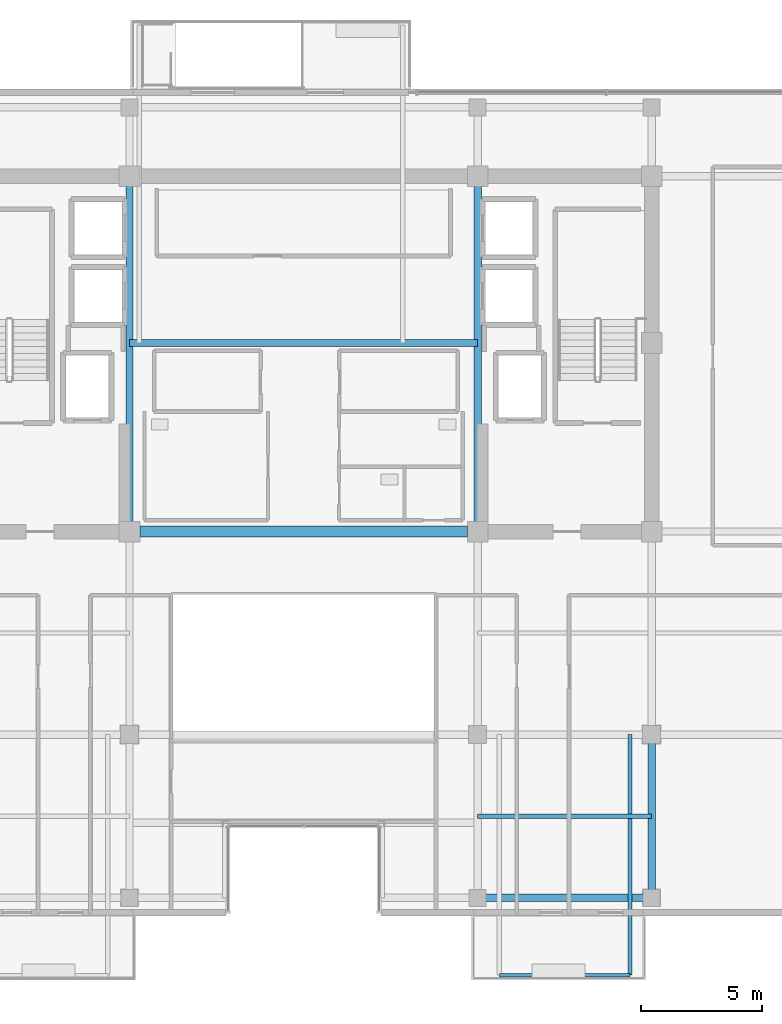
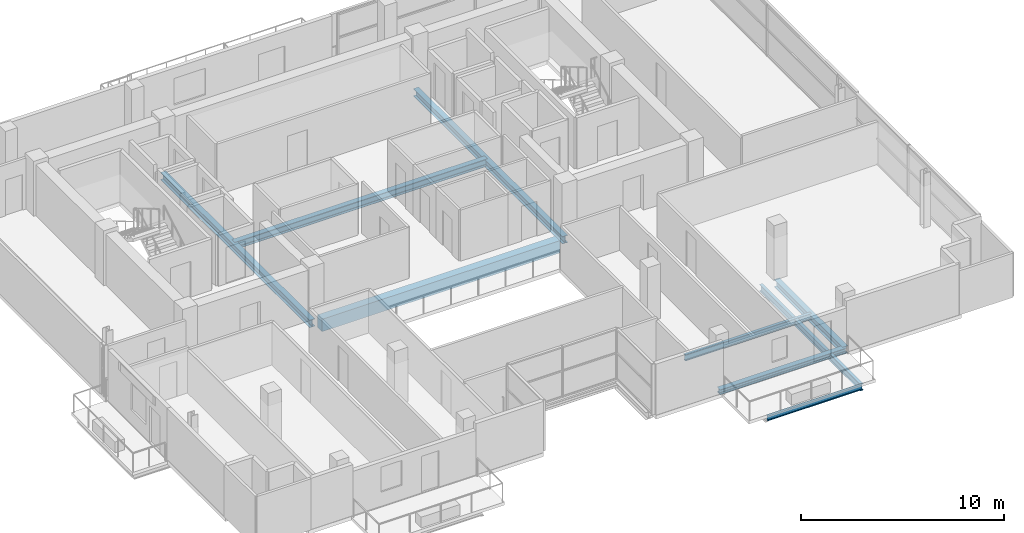
# One storey, part 6 of 24: 9 beams.
"""IFC4 building model written with IfcOpenShell, lengths in metres."""

from ifc_helpers import new_model, si_unit, direction, frame, origin, origin_2d, place, context, subcontext, project, spatial, rectangle, i_section, extrude, material, material_profile, profile_set, type_object, element, save


model = new_model("IFC4")

# Units and contexts
model_context = context("Model", 3, precision=1e-05, world=origin(), true_north=direction((0.0, 1.0)))
body_context = subcontext(model_context, "Body", "Model", "MODEL_VIEW")
ifc_project = project(units=[si_unit("LENGTHUNIT", "METRE"), si_unit("AREAUNIT", "SQUARE_METRE"), si_unit("VOLUMEUNIT", "CUBIC_METRE"), si_unit("PLANEANGLEUNIT", "RADIAN"), si_unit("MASSUNIT", "GRAM", prefix="KILO")], contexts=[model_context])

# Site, building, storey
site_placement = place(None, origin())
site = spatial("IfcSite", under=ifc_project, at=site_placement, CompositionType="ELEMENT")
building_placement = place(site_placement, origin())
building = spatial("IfcBuilding", under=site, at=building_placement, Name="Zarnakvel Exchange Tower", CompositionType="ELEMENT")
storey_placement = place(building_placement, frame((0.0, 0.0, 235.300048828125)))
storey = spatial("IfcBuildingStorey", under=building, at=storey_placement, Name="L66", CompositionType="ELEMENT", Elevation=235.300048828125)

# Beams
ifc_material_1 = material(Name="Steel S355", Category="steel")
ifc_material_profile_1 = material_profile(ifc_material_1, i_section(OverallWidth=0.179931640625, OverallDepth=0.39990234375, WebThickness=0.008544921875, FlangeThickness=0.013427734375, FilletRadius=0.02099609375, at=origin_2d()))
ifc_profile_set_1 = profile_set([ifc_material_profile_1], Name="Steel S355")
beam_type_1 = type_object("IfcBeamType", Name="B-06", PredefinedType="JOIST", material=ifc_profile_set_1)
beam_1_placement = place(storey_placement, frame((13.5, -9.60009765625, -0.425048828125), z_axis=(0.0, -1.0, 0.0), x_axis=(1.0, 0.0, 0.0)))
element("IfcBeam", 1, at=beam_1_placement, inside=storey, type_object=beam_type_1, Name="L66 Continuous Back-Spanned Balcony Beam E", PredefinedType="JOIST", context=body_context, shape_type="SweptSolid", body=[
    extrude(i_section(OverallWidth=0.179931640625, OverallDepth=0.39990234375, WebThickness=0.008544921875, FlangeThickness=0.013427734375, FilletRadius=0.02099609375, at=origin_2d()), origin(), (0.0, 0.0, 1.0), 9.949951171875),
])
ifc_material_profile_2 = material_profile(ifc_material_1, i_section(OverallWidth=0.169921875, OverallDepth=0.360107421875, WebThickness=0.008056640625, FlangeThickness=0.0126953125, FilletRadius=0.01806640625, at=origin_2d()))
ifc_profile_set_2 = profile_set([ifc_material_profile_2], Name="Steel S355")
beam_type_2 = type_object("IfcBeamType", Name="B-07", PredefinedType="JOIST", material=ifc_profile_set_2)
beam_2_placement = place(storey_placement, frame((7.199951171875, -12.97509765625, -0.405029296875), z_axis=(1.0, 0.0, 0.0), x_axis=(0.0, 1.0, 0.0)))
element("IfcBeam", 2, at=beam_2_placement, inside=storey, type_object=beam_type_2, Name="L66 Composite Floor Secondary Joist", PredefinedType="JOIST", context=body_context, shape_type="SweptSolid", body=[
    extrude(i_section(OverallWidth=0.169921875, OverallDepth=0.360107421875, WebThickness=0.008056640625, FlangeThickness=0.0126953125, FilletRadius=0.01806640625, at=origin_2d()), origin(), (0.0, 0.0, 1.0), 7.199951171875),
])
ifc_material_profile_3 = material_profile(ifc_material_1, i_section(OverallWidth=0.14990234375, OverallDepth=0.300048828125, WebThickness=0.007080078125, FlangeThickness=0.0107421875, FilletRadius=0.014892578125, at=origin_2d()))
ifc_profile_set_3 = profile_set([ifc_material_profile_3], Name="Steel S355")
beam_type_3 = type_object("IfcBeamType", Name="B-08", PredefinedType="JOIST", material=ifc_profile_set_3)
beam_3_placement = place(storey_placement, frame((8.10009765625, -19.550048828125, -0.375), z_axis=(1.0, 0.0, 0.0), x_axis=(0.0, 1.0, 0.0)))
element("IfcBeam", 3, at=beam_3_placement, inside=storey, type_object=beam_type_3, Name="L66 Balcony Edge Beam", PredefinedType="JOIST", context=body_context, shape_type="SweptSolid", body=[
    extrude(i_section(OverallWidth=0.14990234375, OverallDepth=0.300048828125, WebThickness=0.007080078125, FlangeThickness=0.0107421875, FilletRadius=0.014892578125, at=origin_2d()), origin(), (0.0, 0.0, 1.0), 5.39990234375),
])
ifc_material_2 = material(Name="Concrete C50/60", Category="concrete")
ifc_material_profile_4 = material_profile(ifc_material_2, rectangle(XDim=0.449951171875, YDim=0.75, at=origin_2d()))
ifc_profile_set_4 = profile_set([ifc_material_profile_4], Name="Concrete C50/60")
beam_type_4 = type_object("IfcBeamType", Name="CB-03", PredefinedType="LINTEL", material=ifc_profile_set_4)
beam_4_placement = place(storey_placement, frame((-6.77490234375, -1.199951171875, -0.60009765625), z_axis=(1.0, 0.0, 0.0), x_axis=(0.0, 1.0, 0.0)))
element("IfcBeam", 4, at=beam_4_placement, inside=storey, type_object=beam_type_4, Name="L66 Rear Core South Coupling Beam (CB-03)", PredefinedType="LINTEL", context=body_context, shape_type="SweptSolid", body=[
    extrude(rectangle(XDim=0.449951171875, YDim=0.75, at=origin_2d()), origin(), (0.0, 0.0, 1.0), 13.5498046875),
])
ifc_material_profile_5 = material_profile(ifc_material_1, i_section(OverallWidth=0.300048828125, OverallDepth=0.449951171875, WebThickness=0.013916015625, FlangeThickness=0.02587890625, FilletRadius=0.027099609375, at=origin_2d()))
ifc_profile_set_5 = profile_set([ifc_material_profile_5], Name="Steel S355")
beam_type_5 = type_object("IfcBeamType", Name="G-07", PredefinedType="BEAM", material=ifc_profile_set_5)
for number, where, z_axis, x_axis, name in (
    (5, (-7.199951171875, -1.199951171875, -0.449951171875), (0.0, 1.0, 0.0), (-1.0, 0.0, 0.0), "L66 Tower N-S Frame Beam"),
    (6, (7.199951171875, -1.199951171875, -0.449951171875), (0.0, 1.0, 0.0), (-1.0, 0.0, 0.0), "L66 Tower N-S Frame Beam"),
):
    element("IfcBeam", number, at=place(storey_placement, frame(where, z_axis=z_axis, x_axis=x_axis)), inside=storey, type_object=beam_type_5, Name=name, PredefinedType="BEAM", context=body_context, shape_type="SweptSolid", body=[
        extrude(i_section(OverallWidth=0.300048828125, OverallDepth=0.449951171875, WebThickness=0.013916015625, FlangeThickness=0.02587890625, FilletRadius=0.027099609375, at=origin_2d()), origin(), (0.0, 0.0, 1.0), 14.699951171875),
    ])
beam_5_placement = place(storey_placement, frame((14.39990234375, -16.35009765625, -0.449951171875), z_axis=(0.0, 1.0, 0.0), x_axis=(-1.0, 0.0, 0.0)))
element("IfcBeam", 7, at=beam_5_placement, inside=storey, type_object=beam_type_5, Name="L66 Tower N-S Frame Beam", PredefinedType="BEAM", context=body_context, shape_type="SweptSolid", body=[
    extrude(i_section(OverallWidth=0.300048828125, OverallDepth=0.449951171875, WebThickness=0.013916015625, FlangeThickness=0.02587890625, FilletRadius=0.027099609375, at=origin_2d()), origin(), (0.0, 0.0, 1.0), 6.75),
])
beam_6_placement = place(storey_placement, frame((-7.199951171875, 6.60009765625, -0.449951171875), z_axis=(1.0, 0.0, 0.0), x_axis=(0.0, 1.0, 0.0)))
element("IfcBeam", 8, at=beam_6_placement, inside=storey, type_object=beam_type_5, Name="L66 Core Central Lobby Mid Girder", PredefinedType="BEAM", context=body_context, shape_type="SweptSolid", body=[
    extrude(i_section(OverallWidth=0.300048828125, OverallDepth=0.449951171875, WebThickness=0.013916015625, FlangeThickness=0.02587890625, FilletRadius=0.027099609375, at=origin_2d()), origin(), (0.0, 0.0, 1.0), 14.39990234375),
])
ifc_material_profile_6 = material_profile(ifc_material_1, i_section(OverallWidth=0.300048828125, OverallDepth=0.300048828125, WebThickness=0.010986328125, FlangeThickness=0.01904296875, FilletRadius=0.027099609375, at=origin_2d()))
ifc_profile_set_6 = profile_set([ifc_material_profile_6], Name="Steel S355")
beam_type_6 = type_object("IfcBeamType", Name="SP-03", PredefinedType="SPANDREL", material=ifc_profile_set_6)
beam_7_placement = place(storey_placement, frame((7.199951171875, -16.35009765625, -0.375), z_axis=(1.0, 0.0, 0.0), x_axis=(0.0, 1.0, 0.0)))
element("IfcBeam", 9, at=beam_7_placement, inside=storey, type_object=beam_type_6, Name="L66 Tower E-W Frame Beam", PredefinedType="SPANDREL", context=body_context, shape_type="SweptSolid", body=[
    extrude(i_section(OverallWidth=0.300048828125, OverallDepth=0.300048828125, WebThickness=0.010986328125, FlangeThickness=0.01904296875, FilletRadius=0.027099609375, at=origin_2d()), origin(), (0.0, 0.0, 1.0), 7.199951171875),
])

save(model, "model.ifc")
